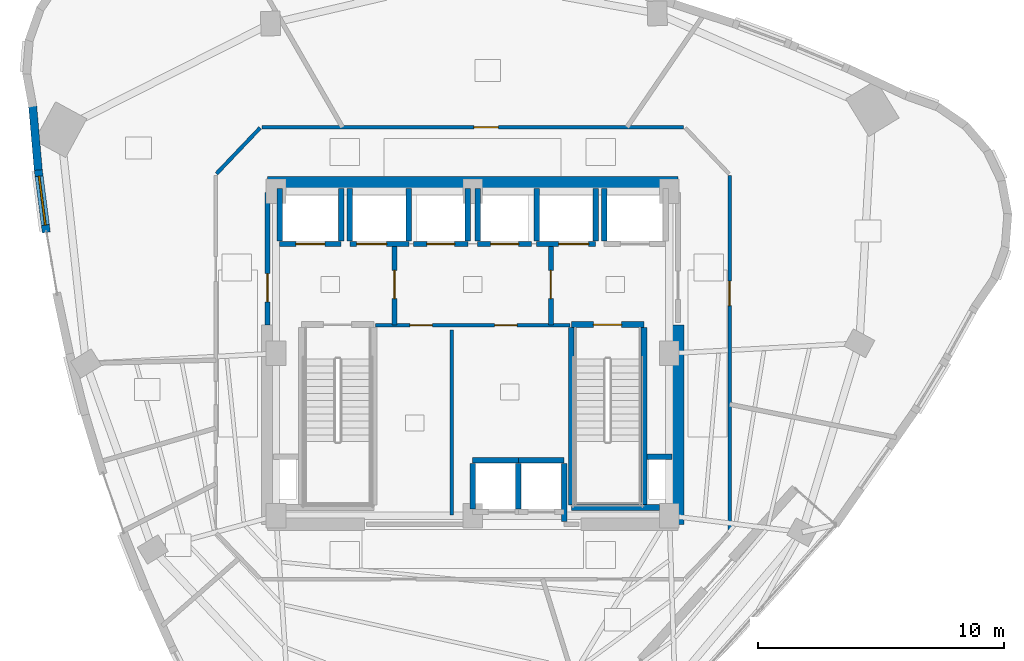
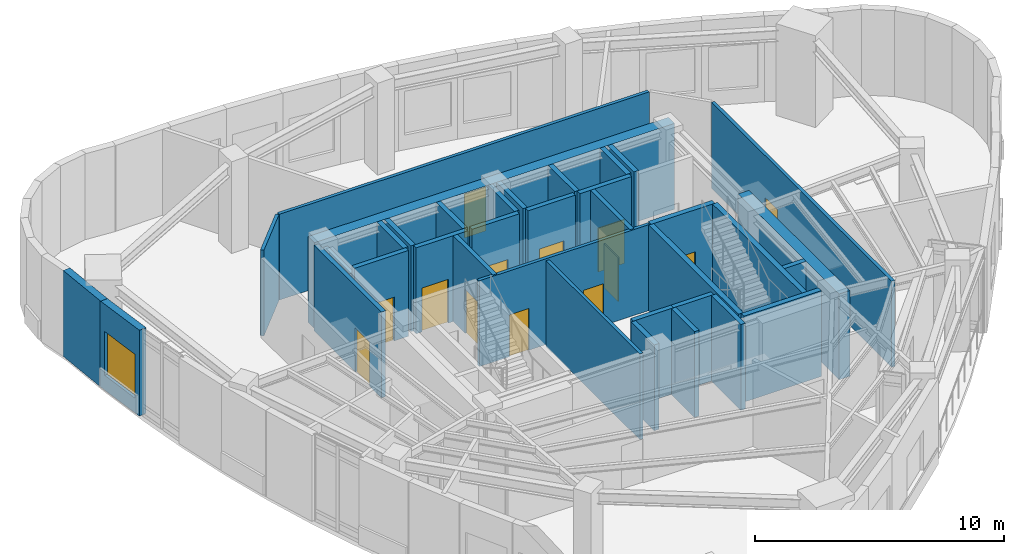
# One storey, part 13 of 18: 36 walls, 13 doors, 1 window, 14 openings.
"""IFC4 building model written with IfcOpenShell, lengths in metres."""

from ifc_helpers import new_model, si_unit, direction, frame, frame_2d, origin, place, context, subcontext, project, spatial, rectangle, extrude, material, layer, layer_set, type_object, element, fill, save


model = new_model("IFC4")

# Units and contexts
model_context = context("Model", 3, precision=1e-05, world=origin(), true_north=direction((0.0, 1.0)))
body_context = subcontext(model_context, "Body", "Model", "MODEL_VIEW")
ifc_project = project(units=[si_unit("LENGTHUNIT", "METRE"), si_unit("AREAUNIT", "SQUARE_METRE"), si_unit("VOLUMEUNIT", "CUBIC_METRE"), si_unit("PLANEANGLEUNIT", "RADIAN"), si_unit("MASSUNIT", "GRAM", prefix="KILO")], contexts=[model_context])

# Site, building, storey
site_placement = place(None, origin())
site = spatial("IfcSite", under=ifc_project, at=site_placement, CompositionType="ELEMENT")
building_placement = place(site_placement, origin())
building = spatial("IfcBuilding", under=site, at=building_placement, Name="Ndelora Gate Hotel", CompositionType="ELEMENT")
storey_placement = place(building_placement, frame((0.0, 0.0, 173.75)))
storey = spatial("IfcBuildingStorey", under=building, at=storey_placement, Name="L43", CompositionType="ELEMENT", Elevation=173.75)

# Wall
ifc_material_1 = material(Name="Clay Brick Masonry", Category="masonry")
ifc_layer_1 = layer(ifc_material_1, 0.330078125)
ifc_layer_set_1 = layer_set([ifc_layer_1], Name="Clay Brick Masonry")
wall_type_1 = type_object("IfcWallType", Name="WL-BRICK-330", PredefinedType="SOLIDWALL", material=ifc_layer_set_1)
wall_1_placement = place(storey_placement, frame((-17.669921875, 7.458251953125, 0.0), z_axis=(0.0, 0.0, 1.0), x_axis=(-0.087206078915, 0.996190292966, 0.0)))
element("IfcWall", 1, at=wall_1_placement, inside=storey, type_object=wall_type_1, Name="L43 Tower Brick Pier-and-Spandrel Wall TWR-9", PredefinedType="SOLIDWALL", context=body_context, shape_type="SweptSolid", body=[
    extrude(rectangle(XDim=2.631591796875, YDim=0.330078125, at=frame_2d((1.31591796875, 0.0))), origin(), (0.0, 0.0, 1.0), 4.2099609375),
])

# Wall, opening, window
wall_2_placement = place(storey_placement, frame((-17.34326171875, 4.919189453125, 0.0), z_axis=(0.0, 0.0, 1.0), x_axis=(-0.127223311808, 0.991874099336, 0.0)))
wall_2 = element("IfcWall", 2, at=wall_2_placement, inside=storey, type_object=wall_type_1, Name="L43 Tower Brick Pier-and-Spandrel Wall TWR-10", PredefinedType="SOLIDWALL", context=body_context, shape_type="SweptSolid", body=[
    extrude(rectangle(XDim=2.60986328125, YDim=0.330078125, at=frame_2d((1.304931640625, 0.0))), origin(), (0.0, 0.0, 1.0), 4.2099609375),
])
opening_1_placement = place(wall_2_placement, frame((0.304931640625, 0.0, 0.719970703125)))
opening_1 = element("IfcOpeningElement", 3, at=opening_1_placement, cuts=wall_2, Name="Opening W05", PredefinedType="OPENING", context=body_context, shape_type="SweptSolid", body=[
    extrude(rectangle(XDim=2.0, YDim=2.14990234375, at=frame_2d((1.0, 1.074951171875))), frame((0.0, 0.175048828125, 0.0), z_axis=(0.0, -1.0, 0.0), x_axis=(1.0, 0.0, 0.0)), (0.0, 0.0, 1.0), 0.35009765625),
])
ifc_material_2 = material(Name="Insulated Low-E Double Glazing in Bronze Aluminium Frame", Category="aluminium")
window_type = type_object("IfcWindowType", Name="WN-SKY-2000", PartitioningType="SINGLE_PANEL", PredefinedType="WINDOW", material=ifc_material_2)
window_placement = place(opening_1_placement, origin())
window = element("IfcWindow", 4, at=window_placement, inside=storey, type_object=window_type, Name="L43 Deep-Set Brick-Pier Window W05", OverallHeight=2.14990234375, OverallWidth=2.0, PartitioningType="SINGLE_PANEL", PredefinedType="WINDOW", context=body_context, shape_type="SweptSolid", body=[
    extrude(rectangle(XDim=2.0, YDim=2.14990234375, at=frame_2d((1.0, 1.074951171875))), frame((0.0, 0.030029296875, 0.0), z_axis=(0.0, -1.0, 0.0), x_axis=(1.0, 0.0, 0.0)), (0.0, 0.0, 1.0), 0.06005859375),
])
fill(opening_1, window)

# Walls
ifc_material_3 = material(Name="Concrete C50/60", Category="concrete")
ifc_layer_2 = layer(ifc_material_3, 0.5)
ifc_layer_set_2 = layer_set([ifc_layer_2], Name="Concrete C50/60")
wall_type_2 = type_object("IfcWallType", Name="WL-CORE-500", PredefinedType="SHEAR", material=ifc_layer_set_2)
wall_3_placement = place(storey_placement, frame((-8.35009765625, 6.949951171875, 0.0), z_axis=(0.0, 0.0, 1.0), x_axis=(1.0, 0.0, 0.0)))
element("IfcWall", 5, at=wall_3_placement, inside=storey, type_object=wall_type_2, Name="L43 Core Shear Wall N", PredefinedType="SHEAR", context=body_context, shape_type="SweptSolid", body=[
    extrude(rectangle(XDim=16.7001953125, YDim=0.5, at=frame_2d((8.35009765625, 0.0))), origin(), (0.0, 0.0, 1.0), 4.2099609375),
])
wall_4_placement = place(storey_placement, frame((8.35009765625, -6.949951171875, 0.0), z_axis=(0.0, 0.0, 1.0), x_axis=(0.0, 1.0, 0.0)))
element("IfcWall", 6, at=wall_4_placement, inside=storey, type_object=wall_type_2, Name="L43 Core Shear Wall E", PredefinedType="SHEAR", context=body_context, shape_type="SweptSolid", body=[
    extrude(rectangle(XDim=8.099853515625, YDim=0.5, at=frame_2d((4.0498046875, 0.0))), origin(), (0.0, 0.0, 1.0), 4.2099609375),
])

# Wall, opening, door
ifc_material_4 = material(Name="Concrete C40/50", Category="concrete")
ifc_layer_3 = layer(ifc_material_4, 0.199951171875)
ifc_layer_set_3 = layer_set([ifc_layer_3], Name="Concrete C40/50")
wall_type_3 = type_object("IfcWallType", Name="WL-FIRE-200", PredefinedType="PARTITIONING", material=ifc_layer_set_3)
wall_5_placement = place(storey_placement, frame((-3.179931640625, 1.14990234375, 0.0), z_axis=(0.0, 0.0, 1.0), x_axis=(0.0, 1.0, 0.0)))
wall_5 = element("IfcWall", 7, at=wall_5_placement, inside=storey, type_object=wall_type_3, Name="L43 Interior Wall IW-2", PredefinedType="PARTITIONING", context=body_context, shape_type="SweptSolid", body=[
    extrude(rectangle(XDim=3.300048828125, YDim=0.199951171875, at=frame_2d((1.64990234375, 0.0))), origin(), (0.0, 0.0, 1.0), 4.2099609375),
])
opening_2_placement = place(wall_5_placement, frame((1.080078125, 0.0, 0.0)))
opening_2 = element("IfcOpeningElement", 8, at=opening_2_placement, cuts=wall_5, Name="Opening FD1", PredefinedType="OPENING", context=body_context, shape_type="SweptSolid", body=[
    extrude(rectangle(XDim=1.14990234375, YDim=2.14990234375, at=frame_2d((0.574951171875, 1.074951171875))), frame((0.0, 0.10986328125, 0.0), z_axis=(0.0, -1.0, 0.0), x_axis=(1.0, 0.0, 0.0)), (0.0, 0.0, 1.0), 0.219970703125),
])
ifc_material_5 = material(Name="Fire-Rated Timber-Veneer Steel Core", Category="steel")
door_type_1 = type_object("IfcDoorType", Name="DR-FD60", OperationType="SINGLE_SWING_LEFT", PredefinedType="DOOR", material=ifc_material_5)
door_1_placement = place(opening_2_placement, origin())
door_1 = element("IfcDoor", 9, at=door_1_placement, inside=storey, type_object=door_type_1, Name="L43 Firefighting Lobby West Door", OperationType="SINGLE_SWING_RIGHT", OverallHeight=2.14990234375, OverallWidth=1.14990234375, PredefinedType="DOOR", context=body_context, shape_type="SweptSolid", body=[
    extrude(rectangle(XDim=1.14990234375, YDim=2.14990234375, at=frame_2d((0.574951171875, 1.074951171875))), frame((0.0, 0.02490234375, 0.0), z_axis=(0.0, -1.0, 0.0), x_axis=(1.0, 0.0, 0.0)), (0.0, 0.0, 1.0), 0.050048828125),
])
fill(opening_2, door_1)

wall_6_placement = place(storey_placement, frame((3.179931640625, 1.14990234375, 0.0), z_axis=(0.0, 0.0, 1.0), x_axis=(0.0, 1.0, 0.0)))
wall_6 = element("IfcWall", 10, at=wall_6_placement, inside=storey, type_object=wall_type_3, Name="L43 Interior Wall IW-2", PredefinedType="PARTITIONING", context=body_context, shape_type="SweptSolid", body=[
    extrude(rectangle(XDim=3.300048828125, YDim=0.199951171875, at=frame_2d((1.64990234375, 0.0))), origin(), (0.0, 0.0, 1.0), 4.2099609375),
])
opening_3_placement = place(wall_6_placement, frame((1.080078125, 0.0, 0.0)))
opening_3 = element("IfcOpeningElement", 11, at=opening_3_placement, cuts=wall_6, Name="Opening FD1", PredefinedType="OPENING", context=body_context, shape_type="SweptSolid", body=[
    extrude(rectangle(XDim=1.14990234375, YDim=2.14990234375, at=frame_2d((0.574951171875, 1.074951171875))), frame((0.0, 0.10986328125, 0.0), z_axis=(0.0, -1.0, 0.0), x_axis=(1.0, 0.0, 0.0)), (0.0, 0.0, 1.0), 0.219970703125),
])
door_2_placement = place(opening_3_placement, origin())
door_2 = element("IfcDoor", 12, at=door_2_placement, inside=storey, type_object=door_type_1, Name="L43 Firefighting Lobby East Door", OperationType="SINGLE_SWING_LEFT", OverallHeight=2.14990234375, OverallWidth=1.14990234375, PredefinedType="DOOR", context=body_context, shape_type="SweptSolid", body=[
    extrude(rectangle(XDim=1.14990234375, YDim=2.14990234375, at=frame_2d((0.574951171875, 1.074951171875))), frame((0.0, 0.02490234375, 0.0), z_axis=(0.0, -1.0, 0.0), x_axis=(1.0, 0.0, 0.0)), (0.0, 0.0, 1.0), 0.050048828125),
])
fill(opening_3, door_2)

wall_7_placement = place(storey_placement, frame((-8.35009765625, 1.14990234375, 0.0), z_axis=(0.0, 0.0, 1.0), x_axis=(0.0, 1.0, 0.0)))
wall_7 = element("IfcWall", 13, at=wall_7_placement, inside=storey, type_object=wall_type_3, Name="L43 Interior Wall IW-2", PredefinedType="PARTITIONING", context=body_context, shape_type="SweptSolid", body=[
    extrude(rectangle(XDim=5.400146484375, YDim=0.199951171875, at=frame_2d((2.7001953125, 0.0))), origin(), (0.0, 0.0, 1.0), 4.2099609375),
])
opening_4_placement = place(wall_7_placement, frame((0.949951171875, 0.0, 0.0)))
opening_4 = element("IfcOpeningElement", 14, at=opening_4_placement, cuts=wall_7, Name="Opening FD1", PredefinedType="OPENING", context=body_context, shape_type="SweptSolid", body=[
    extrude(rectangle(XDim=1.14990234375, YDim=2.14990234375, at=frame_2d((0.574951171875, 1.074951171875))), frame((0.0, 0.10986328125, 0.0), z_axis=(0.0, -1.0, 0.0), x_axis=(1.0, 0.0, 0.0)), (0.0, 0.0, 1.0), 0.219970703125),
])
door_3_placement = place(opening_4_placement, origin())
door_3 = element("IfcDoor", 15, at=door_3_placement, inside=storey, type_object=door_type_1, Name="L43 Firefighting Lobby West Corridor Door", OperationType="SINGLE_SWING_LEFT", OverallHeight=2.14990234375, OverallWidth=1.14990234375, PredefinedType="DOOR", context=body_context, shape_type="SweptSolid", body=[
    extrude(rectangle(XDim=1.14990234375, YDim=2.14990234375, at=frame_2d((0.574951171875, 1.074951171875))), frame((0.0, 0.02490234375, 0.0), z_axis=(0.0, -1.0, 0.0), x_axis=(1.0, 0.0, 0.0)), (0.0, 0.0, 1.0), 0.050048828125),
])
fill(opening_4, door_3)

# Wall, openings, doors
ifc_material_6 = material(Name="Fire-Rated Gypsum Stud Partition", Category="gypsum")
ifc_layer_4 = layer(ifc_material_6, 0.14990234375)
ifc_layer_set_4 = layer_set([ifc_layer_4], Name="Fire-Rated Gypsum Stud Partition")
wall_type_4 = type_object("IfcWallType", Name="WL-PART-150", PredefinedType="PARTITIONING", material=ifc_layer_set_4)
wall_8_placement = place(storey_placement, frame((3.949951171875, 1.14990234375, 0.0), z_axis=(0.0, 0.0, 1.0), x_axis=(-1.0, 0.0, 0.0)))
wall_8 = element("IfcWall", 16, at=wall_8_placement, inside=storey, type_object=wall_type_4, Name="L43 Interior Wall IW-5", PredefinedType="PARTITIONING", context=body_context, shape_type="SweptSolid", body=[
    extrude(rectangle(XDim=7.89990234375, YDim=0.14990234375, at=frame_2d((3.949951171875, 0.0))), origin(), (0.0, 0.0, 1.0), 4.2099609375),
])
opening_5_placement = place(wall_8_placement, frame((5.590087890625, 0.0, 0.0)))
opening_5 = element("IfcOpeningElement", 17, at=opening_5_placement, cuts=wall_8, Name="Opening D04", PredefinedType="OPENING", context=body_context, shape_type="SweptSolid", body=[
    extrude(rectangle(XDim=0.919921875, YDim=2.050048828125, at=frame_2d((0.4599609375, 1.02490234375))), frame((0.0, 0.0849609375, 0.0), z_axis=(0.0, -1.0, 0.0), x_axis=(1.0, 0.0, 0.0)), (0.0, 0.0, 1.0), 0.169921875),
])
opening_6_placement = place(wall_8_placement, frame((2.139892578125, 0.0, 0.0)))
opening_6 = element("IfcOpeningElement", 18, at=opening_6_placement, cuts=wall_8, Name="Opening D04", PredefinedType="OPENING", context=body_context, shape_type="SweptSolid", body=[
    extrude(rectangle(XDim=0.919921875, YDim=2.050048828125, at=frame_2d((0.4599609375, 1.02490234375))), frame((0.0, 0.0849609375, 0.0), z_axis=(0.0, -1.0, 0.0), x_axis=(1.0, 0.0, 0.0)), (0.0, 0.0, 1.0), 0.169921875),
])
ifc_material_7 = material(Name="Painted Steel Core Service Door", Category="steel")
door_type_2 = type_object("IfcDoorType", Name="DR-SER-920", OperationType="SINGLE_SWING_LEFT", PredefinedType="DOOR", material=ifc_material_7)
door_4_placement = place(opening_5_placement, origin())
door_4 = element("IfcDoor", 19, at=door_4_placement, inside=storey, type_object=door_type_2, Name="L43 Core Electrical Switchroom Door", OperationType="SINGLE_SWING_LEFT", OverallHeight=2.050048828125, OverallWidth=0.919921875, PredefinedType="DOOR", context=body_context, shape_type="SweptSolid", body=[
    extrude(rectangle(XDim=0.919921875, YDim=2.050048828125, at=frame_2d((0.4599609375, 1.02490234375))), frame((0.0, 0.02490234375, 0.0), z_axis=(0.0, -1.0, 0.0), x_axis=(1.0, 0.0, 0.0)), (0.0, 0.0, 1.0), 0.050048828125),
])
fill(opening_5, door_4)
door_5_placement = place(opening_6_placement, origin())
door_5 = element("IfcDoor", 20, at=door_5_placement, inside=storey, type_object=door_type_2, Name="L43 Central Linen Equipment Store Door", OperationType="SINGLE_SWING_RIGHT", OverallHeight=2.050048828125, OverallWidth=0.919921875, PredefinedType="DOOR", context=body_context, shape_type="SweptSolid", body=[
    extrude(rectangle(XDim=0.919921875, YDim=2.050048828125, at=frame_2d((0.4599609375, 1.02490234375))), frame((0.0, 0.02490234375, 0.0), z_axis=(0.0, -1.0, 0.0), x_axis=(1.0, 0.0, 0.0)), (0.0, 0.0, 1.0), 0.050048828125),
])
fill(opening_6, door_5)

# Wall
wall_9_placement = place(storey_placement, frame((-0.85009765625, -6.580078125, 0.0), z_axis=(0.0, 0.0, 1.0), x_axis=(0.0, 1.0, 0.0)))
element("IfcWall", 21, at=wall_9_placement, inside=storey, type_object=wall_type_4, Name="L43 Interior Wall IW-5", PredefinedType="PARTITIONING", context=body_context, shape_type="SweptSolid", body=[
    extrude(rectangle(XDim=7.530029296875, YDim=0.14990234375, at=frame_2d((3.76513671875, 0.0))), origin(), (0.0, 0.0, 1.0), 4.2099609375),
])

# Wall, opening, door
wall_10_placement = place(storey_placement, frame((10.449951171875, 7.239990234375, 0.0), z_axis=(0.0, 0.0, 1.0), x_axis=(0.0, -1.0, 0.0)))
wall_10 = element("IfcWall", 22, at=wall_10_placement, inside=storey, type_object=wall_type_4, Name="L43 Interior Wall IW-5", PredefinedType="PARTITIONING", context=body_context, shape_type="SweptSolid", body=[
    extrude(rectangle(XDim=14.47998046875, YDim=0.14990234375, at=frame_2d((7.239990234375, 0.0))), origin(), (0.0, 0.0, 1.0), 4.2099609375),
])
opening_7_placement = place(wall_10_placement, frame((4.298095703125, 0.0, 0.0)))
opening_7 = element("IfcOpeningElement", 23, at=opening_7_placement, cuts=wall_10, Name="Opening D01", PredefinedType="OPENING", context=body_context, shape_type="SweptSolid", body=[
    extrude(rectangle(XDim=1.0, YDim=2.14990234375, at=frame_2d((0.5, 1.074951171875))), frame((0.0, 0.0849609375, 0.0), z_axis=(0.0, -1.0, 0.0), x_axis=(1.0, 0.0, 0.0)), (0.0, 0.0, 1.0), 0.169921875),
])
ifc_material_8 = material(Name="Acoustic Hardwood Guest Entrance Door", Category="wood")
door_type_3 = type_object("IfcDoorType", Name="DR-COR-1000", OperationType="SINGLE_SWING_LEFT", PredefinedType="DOOR", material=ifc_material_8)
door_6_placement = place(opening_7_placement, origin())
door_6 = element("IfcDoor", 24, at=door_6_placement, inside=storey, type_object=door_type_3, Name="L43 Diplomatic Tea Dining Room Entrance Door", OperationType="SINGLE_SWING_RIGHT", OverallHeight=2.14990234375, OverallWidth=1.0, PredefinedType="DOOR", context=body_context, shape_type="SweptSolid", body=[
    extrude(rectangle(XDim=1.0, YDim=2.14990234375, at=frame_2d((0.5, 1.074951171875))), frame((0.0, 0.02490234375, 0.0), z_axis=(0.0, -1.0, 0.0), x_axis=(1.0, 0.0, 0.0)), (0.0, 0.0, 1.0), 0.050048828125),
])
fill(opening_7, door_6)

wall_11_placement = place(storey_placement, frame((-8.580078125, 9.199951171875, 0.0), z_axis=(0.0, 0.0, 1.0), x_axis=(1.0, 0.0, 0.0)))
wall_11 = element("IfcWall", 25, at=wall_11_placement, inside=storey, type_object=wall_type_4, Name="L43 Interior Wall IW-5", PredefinedType="PARTITIONING", context=body_context, shape_type="SweptSolid", body=[
    extrude(rectangle(XDim=17.16015625, YDim=0.14990234375, at=frame_2d((8.580078125, 0.0))), origin(), (0.0, 0.0, 1.0), 4.2099609375),
])
opening_8_placement = place(wall_11_placement, frame((8.62451171875, 0.0, 0.0)))
opening_8 = element("IfcOpeningElement", 26, at=opening_8_placement, cuts=wall_11, Name="Opening D01", PredefinedType="OPENING", context=body_context, shape_type="SweptSolid", body=[
    extrude(rectangle(XDim=1.0, YDim=2.14990234375, at=frame_2d((0.5, 1.074951171875))), frame((0.0, 0.0849609375, 0.0), z_axis=(0.0, -1.0, 0.0), x_axis=(1.0, 0.0, 0.0)), (0.0, 0.0, 1.0), 0.169921875),
])
door_7_placement = place(opening_8_placement, origin())
door_7 = element("IfcDoor", 27, at=door_7_placement, inside=storey, type_object=door_type_3, Name="L43 Summit Business Conference Room Entrance Door", OperationType="SINGLE_SWING_RIGHT", OverallHeight=2.14990234375, OverallWidth=1.0, PredefinedType="DOOR", context=body_context, shape_type="SweptSolid", body=[
    extrude(rectangle(XDim=1.0, YDim=2.14990234375, at=frame_2d((0.5, 1.074951171875))), frame((0.0, 0.02490234375, 0.0), z_axis=(0.0, -1.0, 0.0), x_axis=(1.0, 0.0, 0.0)), (0.0, 0.0, 1.0), 0.050048828125),
])
fill(opening_8, door_7)

# Walls
wall_12_placement = place(storey_placement, frame((-10.42236328125, 7.30908203125, 0.0), z_axis=(0.0, 0.0, 1.0), x_axis=(0.689960858356, 0.723846678473, 0.0)))
element("IfcWall", 28, at=wall_12_placement, inside=storey, type_object=wall_type_4, Name="L43 Interior Wall IW-5", PredefinedType="PARTITIONING", context=body_context, shape_type="SweptSolid", body=[
    extrude(rectangle(XDim=2.572021484375, YDim=0.14990234375, at=frame_2d((1.2861328125, 0.0))), origin(), (0.0, 0.0, 1.0), 4.2099609375),
])
ifc_layer_5 = layer(ifc_material_4, 0.219970703125)
ifc_layer_set_5 = layer_set([ifc_layer_5], Name="Concrete C40/50")
wall_type_5 = type_object("IfcWallType", Name="WL-SHAFT-220", PredefinedType="PARTITIONING", material=ifc_layer_set_5)
wall_13_placement = place(storey_placement, frame((7.090087890625, -4.199951171875, 0.0), z_axis=(0.0, 0.0, 1.0), x_axis=(1.0, 0.0, 0.0)))
element("IfcWall", 29, at=wall_13_placement, inside=storey, type_object=wall_type_5, Name="L43 Interior Wall IW-1", PredefinedType="PARTITIONING", context=body_context, shape_type="SweptSolid", body=[
    extrude(rectangle(XDim=1.010009765625, YDim=0.219970703125, at=frame_2d((0.5048828125, 0.0))), origin(), (0.0, 0.0, 1.0), 4.2099609375),
])

# Wall, opening, door
wall_14_placement = place(storey_placement, frame((-7.85009765625, 4.449951171875, 0.0), z_axis=(0.0, 0.0, 1.0), x_axis=(1.0, 0.0, 0.0)))
wall_14 = element("IfcWall", 30, at=wall_14_placement, inside=storey, type_object=wall_type_5, Name="L43 Interior Wall IW-1", PredefinedType="PARTITIONING", context=body_context, shape_type="SweptSolid", body=[
    extrude(rectangle(XDim=2.5, YDim=0.219970703125, at=frame_2d((1.25, 0.0))), origin(), (0.0, 0.0, 1.0), 4.2099609375),
])
opening_9_placement = place(wall_14_placement, frame((0.659912109375, 0.0, 0.0)))
opening_9 = element("IfcOpeningElement", 31, at=opening_9_placement, cuts=wall_14, Name="Opening LD5", PredefinedType="OPENING", context=body_context, shape_type="SweptSolid", body=[
    extrude(rectangle(XDim=1.179931640625, YDim=2.14990234375, at=frame_2d((0.58984375, 1.074951171875))), frame((0.0, 0.1201171875, 0.0), z_axis=(0.0, -1.0, 0.0), x_axis=(1.0, 0.0, 0.0)), (0.0, 0.0, 1.0), 0.239990234375),
])
ifc_material_9 = material(Name="Firefighting Lift Stainless Sliding Landing Door", Category="metal")
door_type_4 = type_object("IfcDoorType", Name="DR-LD5", OperationType="DOUBLE_DOOR_SLIDING", PredefinedType="DOOR", material=ifc_material_9)
door_8_placement = place(opening_9_placement, origin())
door_8 = element("IfcDoor", 32, at=door_8_placement, inside=storey, type_object=door_type_4, Name="L43 Lift Landing Sliding Door FFL1", OperationType="DOUBLE_DOOR_SLIDING", OverallHeight=2.14990234375, OverallWidth=1.179931640625, PredefinedType="DOOR", context=body_context, shape_type="SweptSolid", body=[
    extrude(rectangle(XDim=1.179931640625, YDim=2.14990234375, at=frame_2d((0.58984375, 1.074951171875))), frame((0.0, 0.02490234375, 0.0), z_axis=(0.0, -1.0, 0.0), x_axis=(1.0, 0.0, 0.0)), (0.0, 0.0, 1.0), 0.050048828125),
])
fill(opening_9, door_8)

# Walls
wall_15_placement = place(storey_placement, frame((-7.85009765625, 4.570068359375, 0.0), z_axis=(0.0, 0.0, 1.0), x_axis=(0.0, 1.0, 0.0)))
element("IfcWall", 33, at=wall_15_placement, inside=storey, type_object=wall_type_5, Name="L43 Interior Wall IW-1", PredefinedType="PARTITIONING", context=body_context, shape_type="SweptSolid", body=[
    extrude(rectangle(XDim=2.1298828125, YDim=0.219970703125, at=frame_2d((1.06494140625, 0.0))), origin(), (0.0, 0.0, 1.0), 3.840087890625),
])
for number, where, z_axis, x_axis, name in (
    (34, (-5.35009765625, 4.570068359375, 0.0), (0.0, 0.0, 1.0), (0.0, 1.0, 0.0), "L43 Interior Wall IW-1"),
    (35, (5.35009765625, 4.570068359375, 0.0), (0.0, 0.0, 1.0), (0.0, 1.0, 0.0), "L43 Interior Wall IW-1"),
):
    element("IfcWall", number, at=place(storey_placement, frame(where, z_axis=z_axis, x_axis=x_axis)), inside=storey, type_object=wall_type_5, Name=name, PredefinedType="PARTITIONING", context=body_context, shape_type="SweptSolid", body=[
        extrude(rectangle(XDim=2.1298828125, YDim=0.219970703125, at=frame_2d((1.06494140625, 0.0))), origin(), (0.0, 0.0, 1.0), 4.2099609375),
    ])

# Wall, opening, door
wall_16_placement = place(storey_placement, frame((-5.0, 4.449951171875, 0.0), z_axis=(0.0, 0.0, 1.0), x_axis=(1.0, 0.0, 0.0)))
wall_16 = element("IfcWall", 36, at=wall_16_placement, inside=storey, type_object=wall_type_5, Name="L43 Interior Wall IW-1", PredefinedType="PARTITIONING", context=body_context, shape_type="SweptSolid", body=[
    extrude(rectangle(XDim=2.39990234375, YDim=0.219970703125, at=frame_2d((1.199951171875, 0.0))), origin(), (0.0, 0.0, 1.0), 4.2099609375),
])
opening_10_placement = place(wall_16_placement, frame((0.280029296875, 0.0, 0.0)))
opening_10 = element("IfcOpeningElement", 37, at=opening_10_placement, cuts=wall_16, Name="Opening LD6", PredefinedType="OPENING", context=body_context, shape_type="SweptSolid", body=[
    extrude(rectangle(XDim=1.219970703125, YDim=2.14990234375, at=frame_2d((0.60986328125, 1.074951171875))), frame((0.0, 0.1201171875, 0.0), z_axis=(0.0, -1.0, 0.0), x_axis=(1.0, 0.0, 0.0)), (0.0, 0.0, 1.0), 0.239990234375),
])
ifc_material_10 = material(Name="Heavy-Duty Service Lift Sliding Landing Door", Category="wood")
door_type_5 = type_object("IfcDoorType", Name="DR-LD6", OperationType="DOUBLE_DOOR_SLIDING", PredefinedType="DOOR", material=ifc_material_10)
door_9_placement = place(opening_10_placement, origin())
door_9 = element("IfcDoor", 38, at=door_9_placement, inside=storey, type_object=door_type_5, Name="L43 Lift Landing Sliding Door SVL1", OperationType="DOUBLE_DOOR_SLIDING", OverallHeight=2.14990234375, OverallWidth=1.219970703125, PredefinedType="DOOR", context=body_context, shape_type="SweptSolid", body=[
    extrude(rectangle(XDim=1.219970703125, YDim=2.14990234375, at=frame_2d((0.60986328125, 1.074951171875))), frame((0.0, 0.02490234375, 0.0), z_axis=(0.0, -1.0, 0.0), x_axis=(1.0, 0.0, 0.0)), (0.0, 0.0, 1.0), 0.050048828125),
])
fill(opening_10, door_9)

# Walls
for number, where, z_axis, x_axis, name in (
    (39, (-5.0, 4.570068359375, 0.0), (0.0, 0.0, 1.0), (0.0, 1.0, 0.0), "L43 Interior Wall IW-1"),
    (40, (-2.60009765625, 4.570068359375, 0.0), (0.0, 0.0, 1.0), (0.0, 1.0, 0.0), "L43 Interior Wall IW-1"),
):
    element("IfcWall", number, at=place(storey_placement, frame(where, z_axis=z_axis, x_axis=x_axis)), inside=storey, type_object=wall_type_5, Name=name, PredefinedType="PARTITIONING", context=body_context, shape_type="SweptSolid", body=[
        extrude(rectangle(XDim=2.1298828125, YDim=0.219970703125, at=frame_2d((1.06494140625, 0.0))), origin(), (0.0, 0.0, 1.0), 4.2099609375),
    ])

# Wall, opening, door
wall_17_placement = place(storey_placement, frame((2.60009765625, 4.449951171875, 0.0), z_axis=(0.0, 0.0, 1.0), x_axis=(1.0, 0.0, 0.0)))
wall_17 = element("IfcWall", 41, at=wall_17_placement, inside=storey, type_object=wall_type_5, Name="L43 Interior Wall IW-1", PredefinedType="PARTITIONING", context=body_context, shape_type="SweptSolid", body=[
    extrude(rectangle(XDim=2.39990234375, YDim=0.219970703125, at=frame_2d((1.199951171875, 0.0))), origin(), (0.0, 0.0, 1.0), 4.2099609375),
])
opening_11_placement = place(wall_17_placement, frame((0.89990234375, 0.0, 0.0)))
opening_11 = element("IfcOpeningElement", 42, at=opening_11_placement, cuts=wall_17, Name="Opening LD6", PredefinedType="OPENING", context=body_context, shape_type="SweptSolid", body=[
    extrude(rectangle(XDim=1.219970703125, YDim=2.14990234375, at=frame_2d((0.60986328125, 1.074951171875))), frame((0.0, 0.1201171875, 0.0), z_axis=(0.0, -1.0, 0.0), x_axis=(1.0, 0.0, 0.0)), (0.0, 0.0, 1.0), 0.239990234375),
])
door_10_placement = place(opening_11_placement, origin())
door_10 = element("IfcDoor", 43, at=door_10_placement, inside=storey, type_object=door_type_5, Name="L43 Lift Landing Sliding Door SVL2", OperationType="DOUBLE_DOOR_SLIDING", OverallHeight=2.14990234375, OverallWidth=1.219970703125, PredefinedType="DOOR", context=body_context, shape_type="SweptSolid", body=[
    extrude(rectangle(XDim=1.219970703125, YDim=2.14990234375, at=frame_2d((0.60986328125, 1.074951171875))), frame((0.0, 0.02490234375, 0.0), z_axis=(0.0, -1.0, 0.0), x_axis=(1.0, 0.0, 0.0)), (0.0, 0.0, 1.0), 0.050048828125),
])
fill(opening_11, door_10)

# Walls
for number, where, z_axis, x_axis, name in (
    (44, (2.60009765625, 4.570068359375, 0.0), (0.0, 0.0, 1.0), (0.0, 1.0, 0.0), "L43 Interior Wall IW-1"),
    (45, (5.0, 4.570068359375, 0.0), (0.0, 0.0, 1.0), (0.0, 1.0, 0.0), "L43 Interior Wall IW-1"),
):
    element("IfcWall", number, at=place(storey_placement, frame(where, z_axis=z_axis, x_axis=x_axis)), inside=storey, type_object=wall_type_5, Name=name, PredefinedType="PARTITIONING", context=body_context, shape_type="SweptSolid", body=[
        extrude(rectangle(XDim=2.1298828125, YDim=0.219970703125, at=frame_2d((1.06494140625, 0.0))), origin(), (0.0, 0.0, 1.0), 4.2099609375),
    ])
for number, where, z_axis, x_axis, name in (
    (46, (0.0, -4.35009765625, 0.0), (0.0, 0.0, 1.0), (1.0, 0.0, 0.0), "L43 Interior Wall IW-1"),
    (47, (0.0, -6.330078125, 0.0), (0.0, 0.0, 1.0), (0.0, 1.0, 0.0), "L43 Interior Wall IW-1"),
    (48, (1.860107421875, -6.330078125, 0.0), (0.0, 0.0, 1.0), (0.0, 1.0, 0.0), "L43 Interior Wall IW-1"),
):
    element("IfcWall", number, at=place(storey_placement, frame(where, z_axis=z_axis, x_axis=x_axis)), inside=storey, type_object=wall_type_5, Name=name, PredefinedType="PARTITIONING", context=body_context, shape_type="SweptSolid", body=[
        extrude(rectangle(XDim=1.860107421875, YDim=0.219970703125, at=frame_2d((0.93017578125, 0.0))), origin(), (0.0, 0.0, 1.0), 4.2099609375),
    ])
wall_18_placement = place(storey_placement, frame((1.860107421875, -4.35009765625, 0.0), z_axis=(0.0, 0.0, 1.0), x_axis=(1.0, 0.0, 0.0)))
element("IfcWall", 49, at=wall_18_placement, inside=storey, type_object=wall_type_5, Name="L43 Interior Wall IW-1", PredefinedType="PARTITIONING", context=body_context, shape_type="SweptSolid", body=[
    extrude(rectangle(XDim=1.85986328125, YDim=0.219970703125, at=frame_2d((0.929931640625, 0.0))), origin(), (0.0, 0.0, 1.0), 4.2099609375),
])
wall_19_placement = place(storey_placement, frame((3.719970703125, -6.830078125, 0.0), z_axis=(0.0, 0.0, 1.0), x_axis=(0.0, 1.0, 0.0)))
element("IfcWall", 50, at=wall_19_placement, inside=storey, type_object=wall_type_5, Name="L43 Interior Wall IW-1", PredefinedType="PARTITIONING", context=body_context, shape_type="SweptSolid", body=[
    extrude(rectangle(XDim=2.360107421875, YDim=0.219970703125, at=frame_2d((1.18017578125, 0.0))), origin(), (0.0, 0.0, 1.0), 4.2099609375),
])

# Wall, opening, door
wall_20_placement = place(storey_placement, frame((-2.39990234375, 4.449951171875, 0.0), z_axis=(0.0, 0.0, 1.0), x_axis=(1.0, 0.0, 0.0)))
wall_20 = element("IfcWall", 51, at=wall_20_placement, inside=storey, type_object=wall_type_5, Name="L43 Interior Wall IW-1", PredefinedType="PARTITIONING", context=body_context, shape_type="SweptSolid", body=[
    extrude(rectangle(XDim=2.199951171875, YDim=0.219970703125, at=frame_2d((1.10009765625, 0.0))), origin(), (0.0, 0.0, 1.0), 4.2099609375),
])
opening_12_placement = place(wall_20_placement, frame((0.5400390625, 0.0, 0.0)))
opening_12 = element("IfcOpeningElement", 52, at=opening_12_placement, cuts=wall_20, Name="Opening LD3", PredefinedType="OPENING", context=body_context, shape_type="SweptSolid", body=[
    extrude(rectangle(XDim=1.1201171875, YDim=2.14990234375, at=frame_2d((0.56005859375, 1.074951171875))), frame((0.0, 0.1201171875, 0.0), z_axis=(0.0, -1.0, 0.0), x_axis=(1.0, 0.0, 0.0)), (0.0, 0.0, 1.0), 0.239990234375),
])
ifc_material_11 = material(Name="Brushed Bronze Stainless Lift Landing Door", Category="metal")
door_type_6 = type_object("IfcDoorType", Name="DR-LD3", OperationType="DOUBLE_DOOR_SLIDING", PredefinedType="DOOR", material=ifc_material_11)
door_11_placement = place(opening_12_placement, origin())
door_11 = element("IfcDoor", 53, at=door_11_placement, inside=storey, type_object=door_type_6, Name="L43 Lift Landing Sliding Door P3A", OperationType="DOUBLE_DOOR_SLIDING", OverallHeight=2.14990234375, OverallWidth=1.1201171875, PredefinedType="DOOR", context=body_context, shape_type="SweptSolid", body=[
    extrude(rectangle(XDim=1.1201171875, YDim=2.14990234375, at=frame_2d((0.56005859375, 1.074951171875))), frame((0.0, 0.02490234375, 0.0), z_axis=(0.0, -1.0, 0.0), x_axis=(1.0, 0.0, 0.0)), (0.0, 0.0, 1.0), 0.050048828125),
])
fill(opening_12, door_11)

# Wall
wall_21_placement = place(storey_placement, frame((-0.199951171875, 4.570068359375, 0.0), z_axis=(0.0, 0.0, 1.0), x_axis=(0.0, 1.0, 0.0)))
element("IfcWall", 54, at=wall_21_placement, inside=storey, type_object=wall_type_5, Name="L43 Interior Wall IW-1", PredefinedType="PARTITIONING", context=body_context, shape_type="SweptSolid", body=[
    extrude(rectangle(XDim=2.1298828125, YDim=0.219970703125, at=frame_2d((1.06494140625, 0.0))), origin(), (0.0, 0.0, 1.0), 4.2099609375),
])

# Wall, opening, door
wall_22_placement = place(storey_placement, frame((0.199951171875, 4.449951171875, 0.0), z_axis=(0.0, 0.0, 1.0), x_axis=(1.0, 0.0, 0.0)))
wall_22 = element("IfcWall", 55, at=wall_22_placement, inside=storey, type_object=wall_type_5, Name="L43 Interior Wall IW-1", PredefinedType="PARTITIONING", context=body_context, shape_type="SweptSolid", body=[
    extrude(rectangle(XDim=2.199951171875, YDim=0.219970703125, at=frame_2d((1.10009765625, 0.0))), origin(), (0.0, 0.0, 1.0), 4.2099609375),
])
opening_13_placement = place(wall_22_placement, frame((0.530029296875, 0.0, 0.0)))
opening_13 = element("IfcOpeningElement", 56, at=opening_13_placement, cuts=wall_22, Name="Opening LD4", PredefinedType="OPENING", context=body_context, shape_type="SweptSolid", body=[
    extrude(rectangle(XDim=1.139892578125, YDim=2.14990234375, at=frame_2d((0.56982421875, 1.074951171875))), frame((0.0, 0.1201171875, 0.0), z_axis=(0.0, -1.0, 0.0), x_axis=(1.0, 0.0, 0.0)), (0.0, 0.0, 1.0), 0.239990234375),
])
door_type_7 = type_object("IfcDoorType", Name="DR-LD4", OperationType="DOUBLE_DOOR_SLIDING", PredefinedType="DOOR", material=ifc_material_11)
door_12_placement = place(opening_13_placement, origin())
door_12 = element("IfcDoor", 57, at=door_12_placement, inside=storey, type_object=door_type_7, Name="L43 Lift Landing Sliding Door EX1", OperationType="DOUBLE_DOOR_SLIDING", OverallHeight=2.14990234375, OverallWidth=1.139892578125, PredefinedType="DOOR", context=body_context, shape_type="SweptSolid", body=[
    extrude(rectangle(XDim=1.139892578125, YDim=2.14990234375, at=frame_2d((0.56982421875, 1.074951171875))), frame((0.0, 0.02490234375, 0.0), z_axis=(0.0, -1.0, 0.0), x_axis=(1.0, 0.0, 0.0)), (0.0, 0.0, 1.0), 0.050048828125),
])
fill(opening_13, door_12)

# Walls
wall_23_placement = place(storey_placement, frame((0.199951171875, 4.570068359375, 0.0), z_axis=(0.0, 0.0, 1.0), x_axis=(0.0, 1.0, 0.0)))
element("IfcWall", 58, at=wall_23_placement, inside=storey, type_object=wall_type_5, Name="L43 Interior Wall IW-1", PredefinedType="PARTITIONING", context=body_context, shape_type="SweptSolid", body=[
    extrude(rectangle(XDim=2.1298828125, YDim=0.219970703125, at=frame_2d((1.06494140625, 0.0))), origin(), (0.0, 0.0, 1.0), 4.2099609375),
])
ifc_layer_6 = layer(ifc_material_3, 0.239990234375)
ifc_layer_set_6 = layer_set([ifc_layer_6], Name="Concrete C50/60")
wall_type_6 = type_object("IfcWallType", Name="WL-STAIR-240", PredefinedType="SHEAR", material=ifc_layer_set_6)
for number, where, z_axis, x_axis, name in (
    (59, (4.010009765625, -6.159912109375, 0.0), (0.0, 0.0, 1.0), (0.0, 1.0, 0.0), "L43 Stair Core Shear Wall SW-ST"),
    (60, (6.969970703125, -6.159912109375, 0.0), (0.0, 0.0, 1.0), (0.0, 1.0, 0.0), "L43 Stair Core Shear Wall SW-ST"),
):
    element("IfcWall", number, at=place(storey_placement, frame(where, z_axis=z_axis, x_axis=x_axis)), inside=storey, type_object=wall_type_6, Name=name, PredefinedType="SHEAR", context=body_context, shape_type="SweptSolid", body=[
        extrude(rectangle(XDim=7.219970703125, YDim=0.239990234375, at=frame_2d((3.60986328125, 0.0))), origin(), (0.0, 0.0, 1.0), 4.2099609375),
    ])
wall_24_placement = place(storey_placement, frame((4.010009765625, -6.27001953125, 0.0), z_axis=(0.0, 0.0, 1.0), x_axis=(1.0, 0.0, 0.0)))
element("IfcWall", 61, at=wall_24_placement, inside=storey, type_object=wall_type_6, Name="L43 Stair Core Shear Wall SW-ST", PredefinedType="SHEAR", context=body_context, shape_type="SweptSolid", body=[
    extrude(rectangle(XDim=3.590087890625, YDim=0.239990234375, at=frame_2d((1.794921875, 0.0))), origin(), (0.0, 0.0, 1.0), 4.2099609375),
])

# Wall, opening, door
wall_25_placement = place(storey_placement, frame((4.010009765625, 1.169921875, 0.0), z_axis=(0.0, 0.0, 1.0), x_axis=(1.0, 0.0, 0.0)))
wall_25 = element("IfcWall", 62, at=wall_25_placement, inside=storey, type_object=wall_type_6, Name="L43 Stair Core Shear Wall SW-ST", PredefinedType="SHEAR", context=body_context, shape_type="SweptSolid", body=[
    extrude(rectangle(XDim=2.9599609375, YDim=0.239990234375, at=frame_2d((1.47998046875, 0.0))), origin(), (0.0, 0.0, 1.0), 4.2099609375),
])
opening_14_placement = place(wall_25_placement, frame((0.89990234375, 0.0, 0.0)))
opening_14 = element("IfcOpeningElement", 63, at=opening_14_placement, cuts=wall_25, Name="Opening FD1", PredefinedType="OPENING", context=body_context, shape_type="SweptSolid", body=[
    extrude(rectangle(XDim=1.14990234375, YDim=2.14990234375, at=frame_2d((0.574951171875, 1.074951171875))), frame((0.0, 0.1298828125, 0.0), z_axis=(0.0, -1.0, 0.0), x_axis=(1.0, 0.0, 0.0)), (0.0, 0.0, 1.0), 0.260009765625),
])
door_13_placement = place(opening_14_placement, origin())
door_13 = element("IfcDoor", 64, at=door_13_placement, inside=storey, type_object=door_type_1, Name="L43 Exit Stair ST5 Door", OperationType="SINGLE_SWING_RIGHT", OverallHeight=2.14990234375, OverallWidth=1.14990234375, PredefinedType="DOOR", context=body_context, shape_type="SweptSolid", body=[
    extrude(rectangle(XDim=1.14990234375, YDim=2.14990234375, at=frame_2d((0.574951171875, 1.074951171875))), frame((0.0, 0.02490234375, 0.0), z_axis=(0.0, -1.0, 0.0), x_axis=(1.0, 0.0, 0.0)), (0.0, 0.0, 1.0), 0.050048828125),
])
fill(opening_14, door_13)

save(model, "model.ifc")
